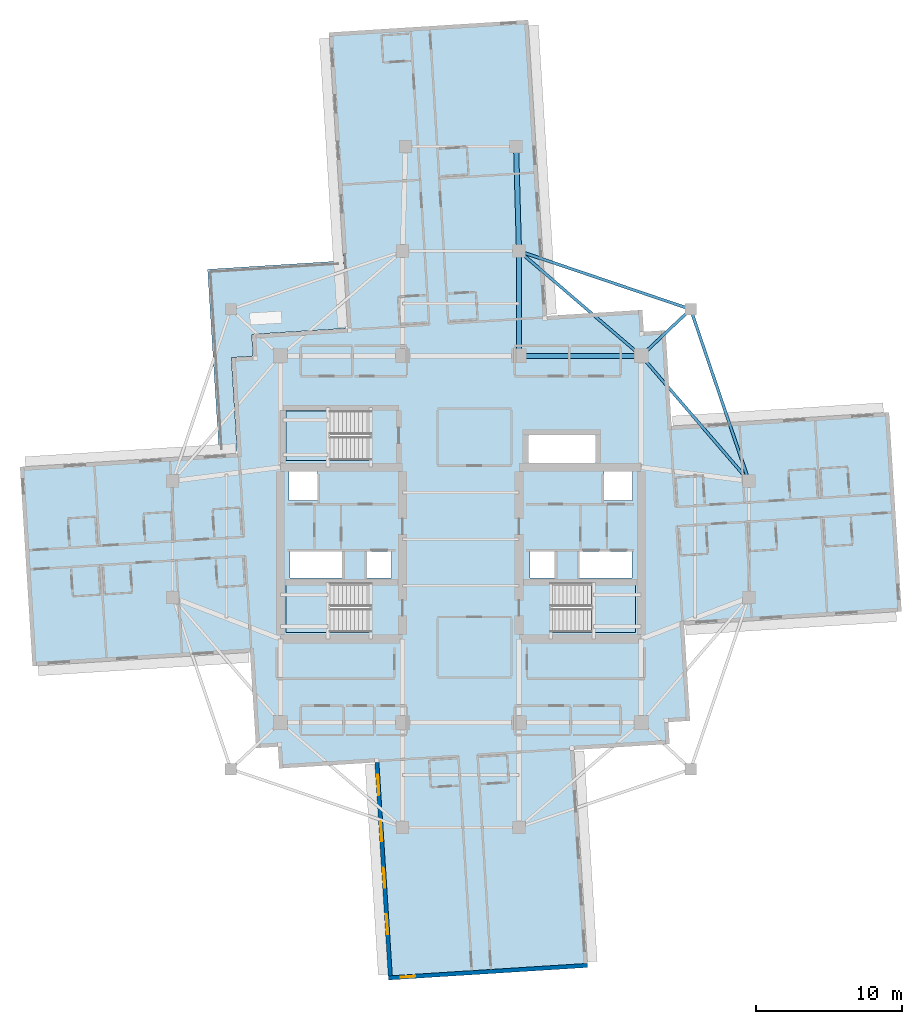
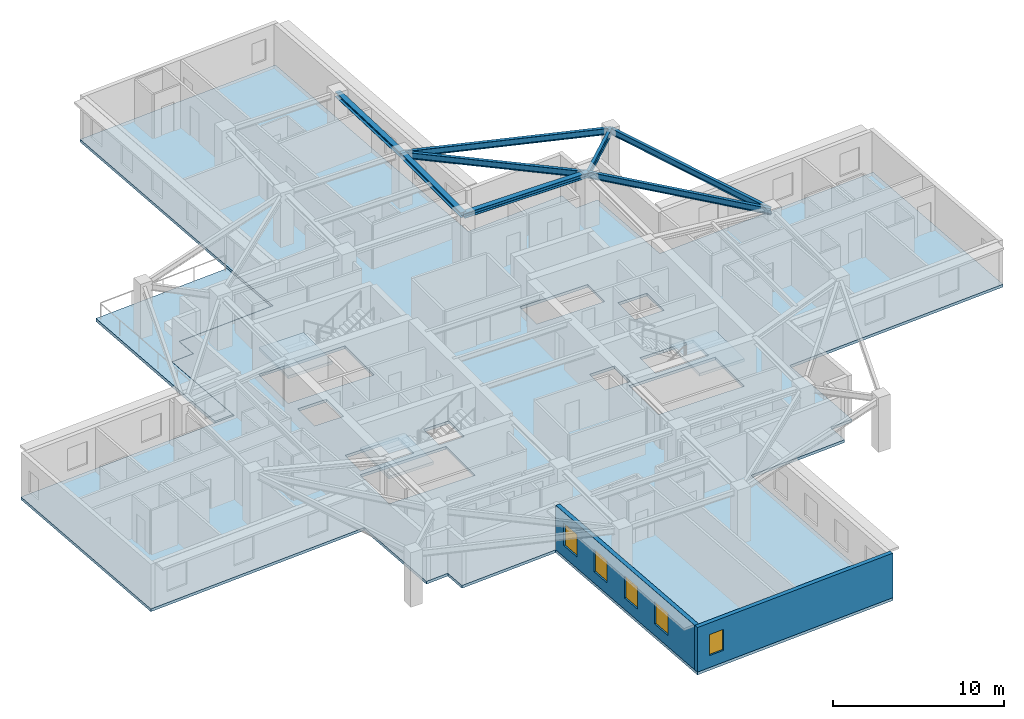
# One storey, part 2 of 13: 8 beams, 5 slabs, 5 windows, 2 walls, 5 openings, 3 elements without a shape of their own.
"""IFC4 building model written with IfcOpenShell, lengths in metres."""

from ifc_helpers import new_model, si_unit, direction, frame, frame_2d, origin, origin_2d, place, context, subcontext, project, spatial, polyline, rectangle, i_section, outline, extrude, material, layer, layer_set, material_profile, profile_set, type_object, element, fill, aggregate, save


model = new_model("IFC4")

# Units and contexts
model_context = context("Model", 3, precision=1e-05, world=origin(), true_north=direction((0.0, 1.0)))
body_context = subcontext(model_context, "Body", "Model", "MODEL_VIEW")
ifc_project = project(units=[si_unit("LENGTHUNIT", "METRE"), si_unit("AREAUNIT", "SQUARE_METRE"), si_unit("VOLUMEUNIT", "CUBIC_METRE"), si_unit("PLANEANGLEUNIT", "RADIAN"), si_unit("MASSUNIT", "GRAM", prefix="KILO")], contexts=[model_context])

# Site, building, storey
site_placement = place(None, origin())
site = spatial("IfcSite", under=ifc_project, at=site_placement, CompositionType="ELEMENT")
building_placement = place(site_placement, origin())
building = spatial("IfcBuilding", under=site, at=building_placement, Name="Qingluan Cross Belvedere", CompositionType="ELEMENT")
storey_placement = place(building_placement, frame((0.0, 0.0, 201.300048828125)))
storey = spatial("IfcBuildingStorey", under=building, at=storey_placement, Name="L50", CompositionType="ELEMENT", Elevation=201.300048828125)

# Beams
ifc_material_1 = material(Name="Steel Q420GJB", Category="steel")
ifc_material_profile_1 = material_profile(ifc_material_1, i_section(OverallWidth=0.199951171875, OverallDepth=0.449951171875, WebThickness=0.009033203125, FlangeThickness=0.013916015625, FilletRadius=0.01611328125, at=origin_2d()), Name="HN450x200x9x14")
ifc_profile_set_1 = profile_set([ifc_material_profile_1], Name="Steel Q420GJB")
beam_type_1 = type_object("IfcBeamType", Name="Steel_Beam_HN450x200x9x14", PredefinedType="JOIST", material=ifc_profile_set_1)
beam_1_placement = place(storey_placement, frame((12.39990234375, 12.60009765625, 3.474853515625), z_axis=(0.728219948308, 0.685343495546, 0.0), x_axis=(-0.685343495546, 0.728219948308, 0.0)))
element("IfcBeam", 1, at=beam_1_placement, inside=storey, type_object=beam_type_1, Name="Corner beam 1 L50-RNE", PredefinedType="JOIST", context=body_context, shape_type="SweptSolid", body=[
    extrude(i_section(OverallWidth=0.199951171875, OverallDepth=0.449951171875, WebThickness=0.009033203125, FlangeThickness=0.013916015625, FilletRadius=0.01611328125, at=origin_2d()), origin(), (0.0, 0.0, 1.0), 4.669189453125),
])
for number, where, z_axis, x_axis, name in (
    (2, (15.800048828125, 15.800048828125, 3.474853515625), (-0.947066283324, 0.321038089628, 0.0), (-0.321038089628, -0.947066283324, 0.0), "Corner beam 2 L50-RNE"),
    (3, (15.800048828125, 15.800048828125, 3.474853515625), (0.321038089628, -0.947066283324, 0.0), (0.947066283324, 0.321038089628, 0.0), "Corner beam 3 L50-RNE"),
):
    element("IfcBeam", number, at=place(storey_placement, frame(where, z_axis=z_axis, x_axis=x_axis)), inside=storey, type_object=beam_type_1, Name=name, PredefinedType="JOIST", context=body_context, shape_type="SweptSolid", body=[
        extrude(i_section(OverallWidth=0.199951171875, OverallDepth=0.449951171875, WebThickness=0.009033203125, FlangeThickness=0.013916015625, FilletRadius=0.01611328125, at=origin_2d()), origin(), (0.0, 0.0, 1.0), 12.45947265625),
    ])
beam_2_placement = place(storey_placement, frame((12.39990234375, 12.60009765625, 3.474853515625), z_axis=(0.652245077546, -0.75800815221, 0.0), x_axis=(0.75800815221, 0.652245077546, 0.0)))
element("IfcBeam", 4, at=beam_2_placement, inside=storey, type_object=beam_type_1, Name="Corner beam 4 L50-RNE", PredefinedType="JOIST", context=body_context, shape_type="SweptSolid", body=[
    extrude(i_section(OverallWidth=0.199951171875, OverallDepth=0.449951171875, WebThickness=0.009033203125, FlangeThickness=0.013916015625, FilletRadius=0.01611328125, at=origin_2d()), origin(), (0.0, 0.0, 1.0), 11.345703125),
])
beam_3_placement = place(storey_placement, frame((12.39990234375, 12.60009765625, 3.474853515625), z_axis=(-0.759255044656, 0.650793190779, 0.0), x_axis=(-0.650793190779, -0.759255044656, 0.0)))
element("IfcBeam", 5, at=beam_3_placement, inside=storey, type_object=beam_type_1, Name="Corner beam 5 L50-RNE", PredefinedType="JOIST", context=body_context, shape_type="SweptSolid", body=[
    extrude(i_section(OverallWidth=0.199951171875, OverallDepth=0.449951171875, WebThickness=0.009033203125, FlangeThickness=0.013916015625, FilletRadius=0.01611328125, at=origin_2d()), origin(), (0.0, 0.0, 1.0), 11.063232421875),
])
ifc_material_2 = material(Name="Steel Q420GJB", Category="steel")
ifc_material_profile_2 = material_profile(ifc_material_2, i_section(OverallWidth=0.35009765625, OverallDepth=0.35009765625, WebThickness=0.011962890625, FlangeThickness=0.01904296875, FilletRadius=0.02001953125, at=origin_2d()), Name="HW350x350x12x19")
ifc_profile_set_2 = profile_set([ifc_material_profile_2], Name="Steel Q420GJB")
beam_type_2 = type_object("IfcBeamType", Name="Steel_Girder_HW350x350x12x19", PredefinedType="USERDEFINED", material=ifc_profile_set_2)
beam_4_placement = place(storey_placement, frame((4.0, 12.60009765625, 3.52490234375), z_axis=(1.0, 0.0, 0.0), x_axis=(0.0, 1.0, 0.0)))
element("IfcBeam", 6, at=beam_4_placement, inside=storey, type_object=beam_type_2, Name="Hub girder L50-HG-N3", ObjectType="GIRDER", PredefinedType="USERDEFINED", context=body_context, shape_type="SweptSolid", body=[
    extrude(i_section(OverallWidth=0.35009765625, OverallDepth=0.35009765625, WebThickness=0.011962890625, FlangeThickness=0.01904296875, FilletRadius=0.02001953125, at=origin_2d()), origin(), (0.0, 0.0, 1.0), 8.39990234375),
])
beam_5_placement = place(storey_placement, frame((4.0, 12.60009765625, 3.52490234375), z_axis=(0.0, 1.0, 0.0), x_axis=(-1.0, 0.0, 0.0)))
element("IfcBeam", 7, at=beam_5_placement, inside=storey, type_object=beam_type_2, Name="Arm N radial girder B L50", ObjectType="GIRDER", PredefinedType="USERDEFINED", context=body_context, shape_type="SweptSolid", body=[
    extrude(i_section(OverallWidth=0.35009765625, OverallDepth=0.35009765625, WebThickness=0.011962890625, FlangeThickness=0.01904296875, FilletRadius=0.02001953125, at=origin_2d()), origin(), (0.0, 0.0, 1.0), 7.199951171875),
])
beam_6_placement = place(storey_placement, frame((4.0, 19.800048828125, 3.52490234375), z_axis=(-0.027760481514, 0.999614603568, 0.0), x_axis=(-0.999614603568, -0.027760481514, 0.0)))
element("IfcBeam", 8, at=beam_6_placement, inside=storey, type_object=beam_type_2, Name="Arm N outer radial girder B L50", ObjectType="GIRDER", PredefinedType="USERDEFINED", context=body_context, shape_type="SweptSolid", body=[
    extrude(i_section(OverallWidth=0.35009765625, OverallDepth=0.35009765625, WebThickness=0.011962890625, FlangeThickness=0.01904296875, FilletRadius=0.02001953125, at=origin_2d()), origin(), (0.0, 0.0, 1.0), 7.20263671875),
])

# Slab
ifc_material_3 = material(Name="Concrete C40", Category="concrete")
ifc_layer_1 = layer(ifc_material_3, 0.199951171875, Name="FloorSlab_200")
ifc_layer_set_1 = layer_set([ifc_layer_1], Name="Concrete C40")
slab_type_1 = type_object("IfcSlabType", Name="FloorSlab_200", PredefinedType="FLOOR", material=ifc_layer_set_1)
slab_1_placement = place(storey_placement, frame((0.0, 0.0, -0.199951171875)))
element("IfcSlab", 9, at=slab_1_placement, inside=storey, type_object=slab_type_1, Name="Structural floor slab L50", PredefinedType="FLOOR", context=body_context, shape_type="SweptSolid", body=[
    extrude(outline(polyline([(8.72509765625, -29.43017578125), (7.78466796875, -14.479736328125), (14.3515625, -14.066650390625), (14.25732421875, -12.569580078125), (15.75439453125, -12.475341796875), (15.34130859375, -5.908447265625), (30.291748046875, -4.9677734375), (29.43017578125, 8.72509765625), (14.479736328125, 7.78466796875), (14.066650390625, 14.3515625), (12.569580078125, 14.25732421875), (12.475341796875, 15.75439453125), (5.908447265625, 15.34130859375), (4.628662109375, 35.680908203125), (-9.064208984375, 34.819580078125), (-7.78466796875, 14.479736328125), (-14.3515625, 14.066650390625), (-14.25732421875, 12.569580078125), (-15.75439453125, 12.475341796875), (-15.34130859375, 5.908447265625), (-30.291748046875, 4.9677734375), (-29.43017578125, -8.72509765625), (-14.479736328125, -7.78466796875), (-14.066650390625, -14.3515625), (-12.569580078125, -14.25732421875), (-12.475341796875, -15.75439453125), (-5.908447265625, -15.34130859375), (-4.9677734375, -30.291748046875), (8.72509765625, -29.43017578125)]), holes=[polyline([(-12.0, -3.0), (-6.179931640625, -3.0), (-6.179931640625, -6.39990234375), (-12.0, -6.39990234375), (-12.0, -3.0)]), polyline([(6.179931640625, -3.0), (12.0, -3.0), (12.0, -6.39990234375), (6.179931640625, -6.39990234375), (6.179931640625, -3.0)]), polyline([(-12.0, 8.820068359375), (-6.179931640625, 8.820068359375), (-6.179931640625, 5.419921875), (-12.0, 5.419921875), (-12.0, 8.820068359375)]), polyline([(-11.800048828125, 4.64990234375), (-9.85009765625, 4.64990234375), (-9.85009765625, 2.64990234375), (-11.800048828125, 2.64990234375), (-11.800048828125, 4.64990234375)]), polyline([(9.85009765625, 4.64990234375), (11.800048828125, 4.64990234375), (11.800048828125, 2.64990234375), (9.85009765625, 2.64990234375), (9.85009765625, 4.64990234375)]), polyline([(-11.75, -0.840087890625), (-8.14990234375, -0.840087890625), (-8.14990234375, -2.659912109375), (-11.75, -2.659912109375), (-11.75, -0.840087890625)]), polyline([(-6.449951171875, -0.840087890625), (-4.75, -0.840087890625), (-4.75, -2.659912109375), (-6.449951171875, -2.659912109375), (-6.449951171875, -0.840087890625)]), polyline([(4.75, -0.840087890625), (6.449951171875, -0.840087890625), (6.449951171875, -2.659912109375), (4.75, -2.659912109375), (4.75, -0.840087890625)]), polyline([(8.14990234375, -0.840087890625), (11.75, -0.840087890625), (11.75, -2.659912109375), (8.14990234375, -2.659912109375), (8.14990234375, -0.840087890625)]), polyline([(4.64990234375, 7.14990234375), (9.25, 7.14990234375), (9.25, 5.14990234375), (4.64990234375, 5.14990234375), (4.64990234375, 7.14990234375)])]), origin(), (0.0, 0.0, 1.0), 0.199951171875),
])

# Stair, slab
ifc_material_4 = material(Name="Concrete C40", Category="concrete")
stair_type = type_object("IfcStairType", Name="CoreDoglegStair_1620", PredefinedType="HALF_TURN_STAIR", material=ifc_material_4)
stair_1_placement = place(storey_placement, origin())
stair_1 = element("IfcStair", 10, at=stair_1_placement, inside=storey, type_object=stair_type, Name="L50 ST1", PredefinedType="HALF_TURN_STAIR")
ifc_material_5 = material(Name="Concrete C40", Category="concrete")
ifc_layer_2 = layer(ifc_material_5, 0.179931640625, Name="StairLandingSlab_180")
ifc_layer_set_2 = layer_set([ifc_layer_2], Name="Concrete C40")
slab_type_2 = type_object("IfcSlabType", Name="StairLandingSlab_180", PredefinedType="LANDING", material=ifc_layer_set_2)
slab_2_placement = place(storey_placement, frame((0.0, 0.0, 1.75)))
slab_2 = element("IfcSlab", 11, at=slab_2_placement, type_object=slab_type_2, Name="ST1 landing 1", PredefinedType="LANDING", context=body_context, shape_type="SweptSolid", body=[
    extrude(outline(polyline([(-8.97998046875, -3.0), (-12.0, -3.0), (-12.0, -6.39990234375), (-8.97998046875, -6.39990234375), (-8.97998046875, -3.0)])), origin(), (0.0, 0.0, 1.0), 0.199951171875),
])
aggregate(stair_1, [slab_2])

stair_2_placement = place(storey_placement, origin())
stair_2 = element("IfcStair", 12, at=stair_2_placement, inside=storey, type_object=stair_type, Name="L50 ST2", PredefinedType="HALF_TURN_STAIR")
slab_3_placement = place(storey_placement, frame((0.0, 0.0, 1.75)))
slab_3 = element("IfcSlab", 13, at=slab_3_placement, type_object=slab_type_2, Name="ST2 landing 1", PredefinedType="LANDING", context=body_context, shape_type="SweptSolid", body=[
    extrude(outline(polyline([(8.97998046875, -6.39990234375), (12.0, -6.39990234375), (12.0, -3.0), (8.97998046875, -3.0), (8.97998046875, -6.39990234375)])), origin(), (0.0, 0.0, 1.0), 0.199951171875),
])
aggregate(stair_2, [slab_3])

stair_3_placement = place(storey_placement, origin())
stair_3 = element("IfcStair", 14, at=stair_3_placement, inside=storey, type_object=stair_type, Name="L50 ST3", PredefinedType="HALF_TURN_STAIR")
slab_4_placement = place(storey_placement, frame((0.0, 0.0, 1.75)))
slab_4 = element("IfcSlab", 15, at=slab_4_placement, type_object=slab_type_2, Name="ST3 landing 1", PredefinedType="LANDING", context=body_context, shape_type="SweptSolid", body=[
    extrude(outline(polyline([(-8.97998046875, 8.820068359375), (-12.0, 8.820068359375), (-12.0, 5.419921875), (-8.97998046875, 5.419921875), (-8.97998046875, 8.820068359375)])), origin(), (0.0, 0.0, 1.0), 0.199951171875),
])
aggregate(stair_3, [slab_4])

# Slab
ifc_material_6 = material(Name="Concrete C40", Category="concrete")
ifc_layer_3 = layer(ifc_material_6, 0.219970703125, Name="TerraceSlab_220")
ifc_layer_set_3 = layer_set([ifc_layer_3], Name="Concrete C40")
slab_type_3 = type_object("IfcSlabType", Name="TerraceSlab_220", PredefinedType="FLOOR", material=ifc_layer_set_3)
slab_5_placement = place(storey_placement, frame((0.0, 0.0, -0.219970703125)))
element("IfcSlab", 16, at=slab_5_placement, inside=storey, type_object=slab_type_3, Name="Spiralling winter-garden terrace slab L50", PredefinedType="FLOOR", context=body_context, shape_type="SweptSolid", body=[
    extrude(outline(polyline([(-15.360107421875, 6.047607421875), (-15.76318359375, 12.48046875), (-14.26806640625, 12.578857421875), (-14.361572265625, 14.06591796875), (-14.35400390625, 14.076416015625), (-7.9248046875, 14.48095703125), (-8.216796875, 19.121826171875), (-17.398681640625, 18.544189453125), (-16.607666015625, 5.968994140625), (-15.360107421875, 6.047607421875)])), origin(), (0.0, 0.0, 1.0), 0.219970703125),
])

# Wall, openings, windows
ifc_material_7 = material(Name="Precast concrete C45", Category="concrete")
ifc_layer_4 = layer(ifc_material_7, 0.280029296875, Name="PrecastFacadeWall_280")
ifc_layer_set_4 = layer_set([ifc_layer_4], Name="Precast concrete C45")
wall_type = type_object("IfcWallType", Name="PrecastFacadeWall_280", PredefinedType="STANDARD", material=ifc_layer_set_4)
wall_1_placement = place(storey_placement, frame((-5.7685546875, -15.33251953125, 0.0), z_axis=(0.0, 0.0, 1.0), x_axis=(0.062779465852, -0.998027423805, 0.0)))
wall_1 = element("IfcWall", 17, at=wall_1_placement, inside=storey, type_object=wall_type, Name="Facade wall L50-SA", PredefinedType="STANDARD", context=body_context, shape_type="SweptSolid", body=[
    extrude(rectangle(XDim=14.699951171875, YDim=0.280029296875, at=frame_2d((7.35009765625, 0.0))), origin(), (0.0, 0.0, 1.0), 3.179931640625),
])
opening_1_placement = place(wall_1_placement, frame((0.85009765625, 0.0, 0.800048828125)))
opening_1 = element("IfcOpeningElement", 18, at=opening_1_placement, cuts=wall_1, Name="Opening W-01", PredefinedType="OPENING", context=body_context, shape_type="SweptSolid", body=[
    extrude(rectangle(XDim=1.39990234375, YDim=1.60009765625, at=frame_2d((0.699951171875, 0.800048828125))), frame((0.0, 0.14990234375, 0.0), z_axis=(0.0, -1.0, 0.0), x_axis=(1.0, 0.0, 0.0)), (0.0, 0.0, 1.0), 0.300048828125),
])
opening_2_placement = place(wall_1_placement, frame((4.050048828125, 0.0, 0.800048828125)))
opening_2 = element("IfcOpeningElement", 19, at=opening_2_placement, cuts=wall_1, Name="Opening W-01", PredefinedType="OPENING", context=body_context, shape_type="SweptSolid", body=[
    extrude(rectangle(XDim=1.39990234375, YDim=1.60009765625, at=frame_2d((0.699951171875, 0.800048828125))), frame((0.0, 0.14990234375, 0.0), z_axis=(0.0, -1.0, 0.0), x_axis=(1.0, 0.0, 0.0)), (0.0, 0.0, 1.0), 0.300048828125),
])
opening_3_placement = place(wall_1_placement, frame((7.25, 0.0, 0.800048828125)))
opening_3 = element("IfcOpeningElement", 20, at=opening_3_placement, cuts=wall_1, Name="Opening W-01", PredefinedType="OPENING", context=body_context, shape_type="SweptSolid", body=[
    extrude(rectangle(XDim=1.39990234375, YDim=1.60009765625, at=frame_2d((0.699951171875, 0.800048828125))), frame((0.0, 0.14990234375, 0.0), z_axis=(0.0, -1.0, 0.0), x_axis=(1.0, 0.0, 0.0)), (0.0, 0.0, 1.0), 0.300048828125),
])
opening_4_placement = place(wall_1_placement, frame((10.449951171875, 0.0, 0.800048828125)))
opening_4 = element("IfcOpeningElement", 21, at=opening_4_placement, cuts=wall_1, Name="Opening W-01", PredefinedType="OPENING", context=body_context, shape_type="SweptSolid", body=[
    extrude(rectangle(XDim=1.39990234375, YDim=1.60009765625, at=frame_2d((0.699951171875, 0.800048828125))), frame((0.0, 0.14990234375, 0.0), z_axis=(0.0, -1.0, 0.0), x_axis=(1.0, 0.0, 0.0)), (0.0, 0.0, 1.0), 0.300048828125),
])
ifc_material_8 = material(Name="Thermally broken triple Low-E glass in aluminium frame", Category="aluminium")
window_type_1 = type_object("IfcWindowType", Name="TriRibbonWin_1400x1600", PartitioningType="SINGLE_PANEL", PredefinedType="WINDOW", material=ifc_material_8)
window_1_placement = place(opening_1_placement, origin())
window_1 = element("IfcWindow", 22, at=window_1_placement, inside=storey, type_object=window_type_1, Name="Ribbon window L50-SA-1", OverallHeight=1.60009765625, OverallWidth=1.39990234375, PartitioningType="SINGLE_PANEL", PredefinedType="WINDOW", context=body_context, shape_type="SweptSolid", body=[
    extrude(rectangle(XDim=1.39990234375, YDim=1.60009765625, at=frame_2d((0.699951171875, 0.800048828125))), frame((0.0, 0.030029296875, 0.0), z_axis=(0.0, -1.0, 0.0), x_axis=(1.0, 0.0, 0.0)), (0.0, 0.0, 1.0), 0.06005859375),
])
fill(opening_1, window_1)
window_2_placement = place(opening_2_placement, origin())
window_2 = element("IfcWindow", 23, at=window_2_placement, inside=storey, type_object=window_type_1, Name="Ribbon window L50-SA-2", OverallHeight=1.60009765625, OverallWidth=1.39990234375, PartitioningType="SINGLE_PANEL", PredefinedType="WINDOW", context=body_context, shape_type="SweptSolid", body=[
    extrude(rectangle(XDim=1.39990234375, YDim=1.60009765625, at=frame_2d((0.699951171875, 0.800048828125))), frame((0.0, 0.030029296875, 0.0), z_axis=(0.0, -1.0, 0.0), x_axis=(1.0, 0.0, 0.0)), (0.0, 0.0, 1.0), 0.06005859375),
])
fill(opening_2, window_2)
window_3_placement = place(opening_3_placement, origin())
window_3 = element("IfcWindow", 24, at=window_3_placement, inside=storey, type_object=window_type_1, Name="Ribbon window L50-SA-3", OverallHeight=1.60009765625, OverallWidth=1.39990234375, PartitioningType="SINGLE_PANEL", PredefinedType="WINDOW", context=body_context, shape_type="SweptSolid", body=[
    extrude(rectangle(XDim=1.39990234375, YDim=1.60009765625, at=frame_2d((0.699951171875, 0.800048828125))), frame((0.0, 0.030029296875, 0.0), z_axis=(0.0, -1.0, 0.0), x_axis=(1.0, 0.0, 0.0)), (0.0, 0.0, 1.0), 0.06005859375),
])
fill(opening_3, window_3)
window_4_placement = place(opening_4_placement, origin())
window_4 = element("IfcWindow", 25, at=window_4_placement, inside=storey, type_object=window_type_1, Name="Ribbon window L50-SA-4", OverallHeight=1.60009765625, OverallWidth=1.39990234375, PartitioningType="SINGLE_PANEL", PredefinedType="WINDOW", context=body_context, shape_type="SweptSolid", body=[
    extrude(rectangle(XDim=1.39990234375, YDim=1.60009765625, at=frame_2d((0.699951171875, 0.800048828125))), frame((0.0, 0.030029296875, 0.0), z_axis=(0.0, -1.0, 0.0), x_axis=(1.0, 0.0, 0.0)), (0.0, 0.0, 1.0), 0.06005859375),
])
fill(opening_4, window_4)

# Wall, opening, window
wall_2_placement = place(storey_placement, frame((-4.9765625, -30.152099609375, 0.0), z_axis=(0.0, 0.0, 1.0), x_axis=(0.998026318072, 0.062797041623, 0.0)))
wall_2 = element("IfcWall", 26, at=wall_2_placement, inside=storey, type_object=wall_type, Name="Arm tip precast facade wall L50-S", PredefinedType="STANDARD", context=body_context, shape_type="SweptSolid", body=[
    extrude(rectangle(XDim=13.719970703125, YDim=0.280029296875, at=frame_2d((6.85986328125, 0.0))), origin(), (0.0, 0.0, 1.0), 3.179931640625),
])
opening_5_placement = place(wall_2_placement, frame((0.85009765625, 0.0, 0.85009765625)))
opening_5 = element("IfcOpeningElement", 27, at=opening_5_placement, cuts=wall_2, Name="Opening W-03", PredefinedType="OPENING", context=body_context, shape_type="SweptSolid", body=[
    extrude(rectangle(XDim=1.0, YDim=1.5, at=frame_2d((0.5, 0.75))), frame((0.0, 0.14990234375, 0.0), z_axis=(0.0, -1.0, 0.0), x_axis=(1.0, 0.0, 0.0)), (0.0, 0.0, 1.0), 0.300048828125),
])
ifc_material_9 = material(Name="Thermally broken triple Low-E glass in aluminium frame", Category="aluminium")
window_type_2 = type_object("IfcWindowType", Name="TriApexWin_1000x1500", PartitioningType="SINGLE_PANEL", PredefinedType="WINDOW", material=ifc_material_9)
window_5_placement = place(opening_5_placement, origin())
window_5 = element("IfcWindow", 28, at=window_5_placement, inside=storey, type_object=window_type_2, Name="Arm tip triangular window L50-S", OverallHeight=1.5, OverallWidth=1.0, PartitioningType="SINGLE_PANEL", PredefinedType="WINDOW", context=body_context, shape_type="SweptSolid", body=[
    extrude(rectangle(XDim=1.0, YDim=1.5, at=frame_2d((0.5, 0.75))), frame((0.0, 0.030029296875, 0.0), z_axis=(0.0, -1.0, 0.0), x_axis=(1.0, 0.0, 0.0)), (0.0, 0.0, 1.0), 0.06005859375),
])
fill(opening_5, window_5)

save(model, "model.ifc")
